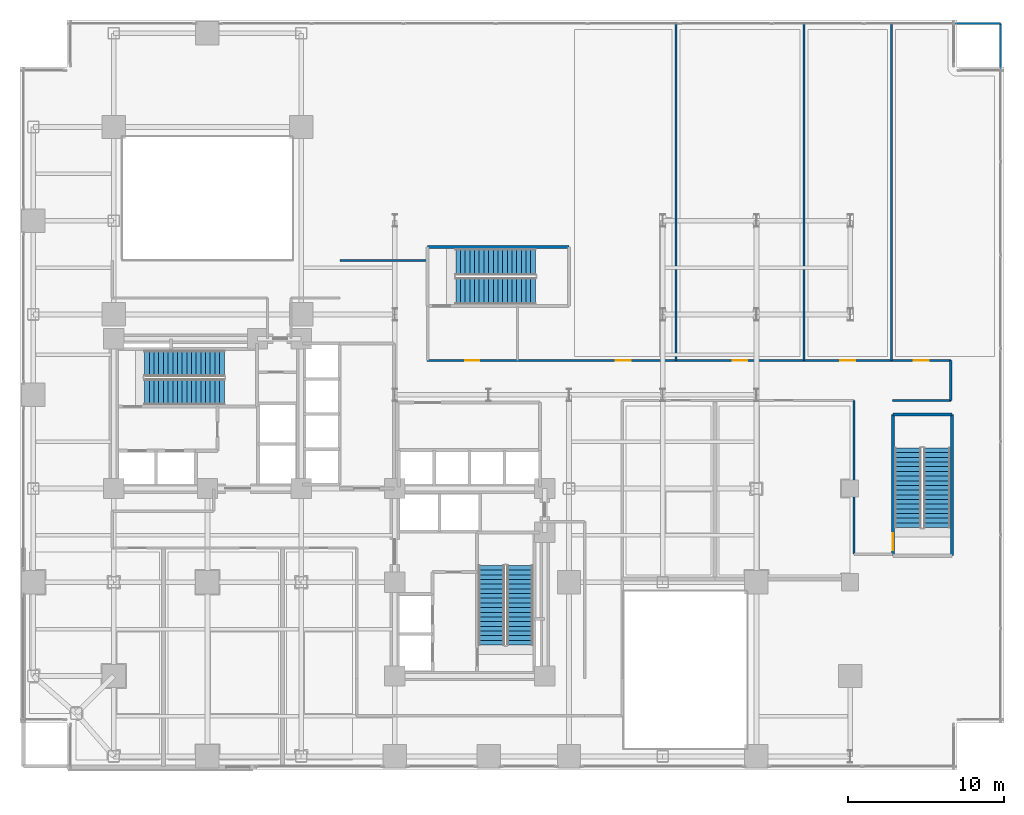
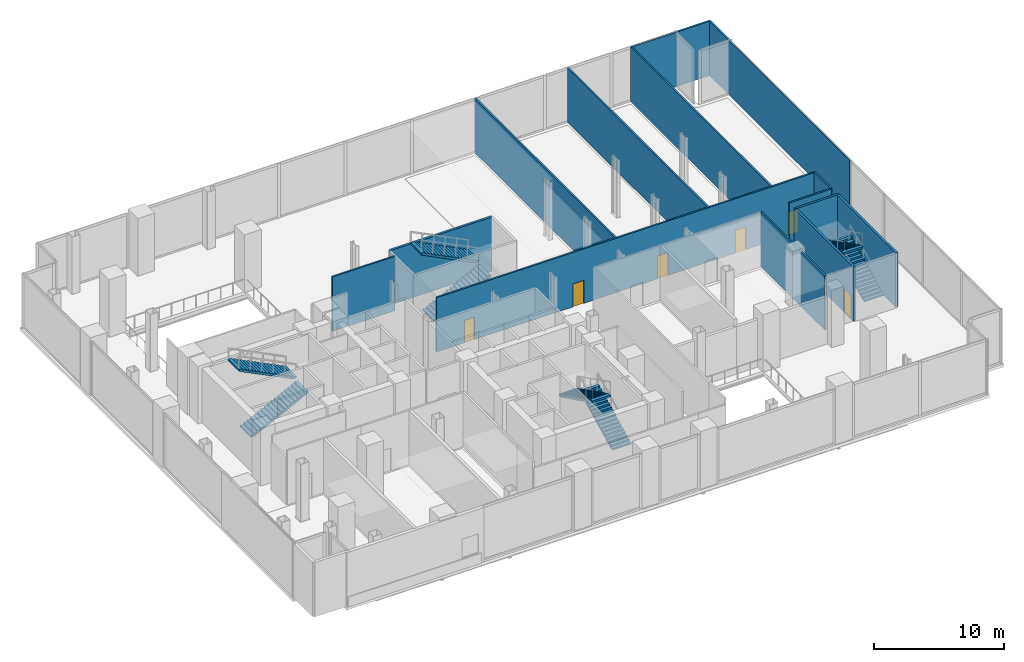
# One storey, part 23 of 28: 14 walls, 8 stair flights, 6 doors, 6 openings, 4 elements without a shape of their own.
"""IFC4 building model written with IfcOpenShell, lengths in metres."""

from ifc_helpers import new_model, si_unit, direction, frame, frame_2d, origin, place, context, subcontext, project, spatial, polyline, rectangle, outline, extrude, material, layer, layer_set, type_object, element, fill, aggregate, save


model = new_model("IFC4")

# Units and contexts
model_context = context("Model", 3, precision=1e-05, world=origin(), true_north=direction((0.0, 1.0)))
body_context = subcontext(model_context, "Body", "Model", "MODEL_VIEW")
ifc_project = project(units=[si_unit("LENGTHUNIT", "METRE"), si_unit("AREAUNIT", "SQUARE_METRE"), si_unit("VOLUMEUNIT", "CUBIC_METRE"), si_unit("PLANEANGLEUNIT", "RADIAN"), si_unit("MASSUNIT", "GRAM", prefix="KILO"), si_unit("THERMODYNAMICTEMPERATUREUNIT", "KELVIN"), si_unit("POWERUNIT", "WATT")], contexts=[model_context])

# Site, building, storey
site_placement = place(None, origin())
site = spatial("IfcSite", under=ifc_project, at=site_placement, CompositionType="ELEMENT")
building_placement = place(site_placement, origin())
building = spatial("IfcBuilding", under=site, at=building_placement, Name="Svarakhadi Broadcast Tower", CompositionType="ELEMENT")
storey_placement = place(building_placement, frame((0.0, 0.0, 11.10009765625)))
storey = spatial("IfcBuildingStorey", under=building, at=storey_placement, Name="L02", CompositionType="ELEMENT", Elevation=11.10009765625)

# Wall
ifc_material_1 = material(Name="Autoclaved Aerated Concrete Blockwork 150 mm", Category="masonry")
ifc_layer_1 = layer(ifc_material_1, 0.14990234375)
ifc_layer_set_1 = layer_set([ifc_layer_1], Name="Autoclaved Aerated Concrete Blockwork 150 mm")
wall_type_1 = type_object("IfcWallType", Name="Wall_Part_150", PredefinedType="PARTITIONING", material=ifc_layer_set_1)
wall_1_placement = place(storey_placement, frame((20.5, 32.60009765625, 0.0), z_axis=(0.0, 0.0, 1.0), x_axis=(1.0, 0.0, 0.0)))
element("IfcWall", 1, at=wall_1_placement, inside=storey, type_object=wall_type_1, Name="L02 Podium Gallery Wall", PredefinedType="PARTITIONING", context=body_context, shape_type="SweptSolid", body=[
    extrude(rectangle(XDim=5.550048828125, YDim=0.14990234375, at=frame_2d((2.77490234375, 0.0))), origin(), (0.0, 0.0, 1.0), 5.099853515625),
])

# Wall, openings, doors
wall_2_placement = place(storey_placement, frame((26.050048828125, 26.199951171875, 0.0), z_axis=(0.0, 0.0, 1.0), x_axis=(1.0, 0.0, 0.0)))
wall_2 = element("IfcWall", 2, at=wall_2_placement, inside=storey, type_object=wall_type_1, Name="L02 Podium Gallery Wall", PredefinedType="PARTITIONING", context=body_context, shape_type="SweptSolid", body=[
    extrude(rectangle(XDim=33.550048828125, YDim=0.14990234375, at=frame_2d((16.77490234375, 0.0))), origin(), (0.0, 0.0, 1.0), 5.099853515625),
])
opening_1_placement = place(wall_2_placement, frame((2.449951171875, 0.0, 0.0)))
opening_1 = element("IfcOpeningElement", 3, at=opening_1_placement, cuts=wall_2, Name="Opening D-13", PredefinedType="OPENING", context=body_context, shape_type="SweptSolid", body=[
    extrude(rectangle(XDim=0.89990234375, YDim=2.10009765625, at=frame_2d((0.449951171875, 1.050048828125))), frame((0.0, 0.0849609375, 0.0), z_axis=(0.0, -1.0, 0.0), x_axis=(1.0, 0.0, 0.0)), (0.0, 0.0, 1.0), 0.169921875),
])
opening_2_placement = place(wall_2_placement, frame((12.10009765625, 0.0, 0.0)))
opening_2 = element("IfcOpeningElement", 4, at=opening_2_placement, cuts=wall_2, Name="Opening D-06", PredefinedType="OPENING", context=body_context, shape_type="SweptSolid", body=[
    extrude(rectangle(XDim=0.949951171875, YDim=2.14990234375, at=frame_2d((0.47509765625, 1.074951171875))), frame((0.0, 0.0849609375, 0.0), z_axis=(0.0, -1.0, 0.0), x_axis=(1.0, 0.0, 0.0)), (0.0, 0.0, 1.0), 0.169921875),
])
opening_3_placement = place(wall_2_placement, frame((19.574951171875, 0.0, 0.0)))
opening_3 = element("IfcOpeningElement", 5, at=opening_3_placement, cuts=wall_2, Name="Opening D-07", PredefinedType="OPENING", context=body_context, shape_type="SweptSolid", body=[
    extrude(rectangle(XDim=0.949951171875, YDim=2.14990234375, at=frame_2d((0.47509765625, 1.074951171875))), frame((0.0, 0.0849609375, 0.0), z_axis=(0.0, -1.0, 0.0), x_axis=(1.0, 0.0, 0.0)), (0.0, 0.0, 1.0), 0.169921875),
])
opening_4_placement = place(wall_2_placement, frame((26.47509765625, 0.0, 0.0)))
opening_4 = element("IfcOpeningElement", 6, at=opening_4_placement, cuts=wall_2, Name="Opening D-06", PredefinedType="OPENING", context=body_context, shape_type="SweptSolid", body=[
    extrude(rectangle(XDim=0.949951171875, YDim=2.14990234375, at=frame_2d((0.47509765625, 1.074951171875))), frame((0.0, 0.0849609375, 0.0), z_axis=(0.0, -1.0, 0.0), x_axis=(1.0, 0.0, 0.0)), (0.0, 0.0, 1.0), 0.169921875),
])
opening_5_placement = place(wall_2_placement, frame((31.175048828125, 0.0, 0.0)))
opening_5 = element("IfcOpeningElement", 7, at=opening_5_placement, cuts=wall_2, Name="Opening D-07", PredefinedType="OPENING", context=body_context, shape_type="SweptSolid", body=[
    extrude(rectangle(XDim=0.949951171875, YDim=2.14990234375, at=frame_2d((0.47509765625, 1.074951171875))), frame((0.0, 0.0849609375, 0.0), z_axis=(0.0, -1.0, 0.0), x_axis=(1.0, 0.0, 0.0)), (0.0, 0.0, 1.0), 0.169921875),
])
ifc_material_2 = material(Name="Solid-Core Teak Veneer Acoustic Timber Leaf", Category="wood")
door_type_1 = type_object("IfcDoorType", Name="Door_Closet_D13", OperationType="SINGLE_SWING_RIGHT", PredefinedType="DOOR", material=ifc_material_2)
door_1_placement = place(opening_1_placement, origin())
door_1 = element("IfcDoor", 8, at=door_1_placement, inside=storey, type_object=door_type_1, Name="L02 Staff Toilet WC Door", OperationType="SINGLE_SWING_RIGHT", OverallHeight=2.10009765625, OverallWidth=0.89990234375, PredefinedType="DOOR", context=body_context, shape_type="SweptSolid", body=[
    extrude(rectangle(XDim=0.89990234375, YDim=2.10009765625, at=frame_2d((0.449951171875, 1.050048828125))), frame((0.0, 0.02490234375, 0.0), z_axis=(0.0, -1.0, 0.0), x_axis=(1.0, 0.0, 0.0)), (0.0, 0.0, 1.0), 0.050048828125),
])
fill(opening_1, door_1)
door_type_2 = type_object("IfcDoorType", Name="Door_Office_D06", OperationType="SINGLE_SWING_LEFT", PredefinedType="DOOR", material=ifc_material_2)
door_2_placement = place(opening_2_placement, origin())
door_2 = element("IfcDoor", 9, at=door_2_placement, inside=storey, type_object=door_type_2, Name="L02 L02 Satellite Ingest and Playout Office Door", OperationType="SINGLE_SWING_LEFT", OverallHeight=2.14990234375, OverallWidth=0.949951171875, PredefinedType="DOOR", context=body_context, shape_type="SweptSolid", body=[
    extrude(rectangle(XDim=0.949951171875, YDim=2.14990234375, at=frame_2d((0.47509765625, 1.074951171875))), frame((0.0, 0.02490234375, 0.0), z_axis=(0.0, -1.0, 0.0), x_axis=(1.0, 0.0, 0.0)), (0.0, 0.0, 1.0), 0.050048828125),
])
fill(opening_2, door_2)
door_3_placement = place(opening_4_placement, origin())
door_3 = element("IfcDoor", 10, at=door_3_placement, inside=storey, type_object=door_type_2, Name="L02 L02 Staff Dining Canteen Door", OperationType="SINGLE_SWING_LEFT", OverallHeight=2.14990234375, OverallWidth=0.949951171875, PredefinedType="DOOR", context=body_context, shape_type="SweptSolid", body=[
    extrude(rectangle(XDim=0.949951171875, YDim=2.14990234375, at=frame_2d((0.47509765625, 1.074951171875))), frame((0.0, 0.02490234375, 0.0), z_axis=(0.0, -1.0, 0.0), x_axis=(1.0, 0.0, 0.0)), (0.0, 0.0, 1.0), 0.050048828125),
])
fill(opening_4, door_3)
door_type_3 = type_object("IfcDoorType", Name="Door_Office_D07", OperationType="SINGLE_SWING_RIGHT", PredefinedType="DOOR", material=ifc_material_2)
door_4_placement = place(opening_3_placement, origin())
door_4 = element("IfcDoor", 11, at=door_4_placement, inside=storey, type_object=door_type_3, Name="L02 L02 Editorial Conference Room Door", OperationType="SINGLE_SWING_RIGHT", OverallHeight=2.14990234375, OverallWidth=0.949951171875, PredefinedType="DOOR", context=body_context, shape_type="SweptSolid", body=[
    extrude(rectangle(XDim=0.949951171875, YDim=2.14990234375, at=frame_2d((0.47509765625, 1.074951171875))), frame((0.0, 0.02490234375, 0.0), z_axis=(0.0, -1.0, 0.0), x_axis=(1.0, 0.0, 0.0)), (0.0, 0.0, 1.0), 0.050048828125),
])
fill(opening_3, door_4)
door_5_placement = place(opening_5_placement, origin())
door_5 = element("IfcDoor", 12, at=door_5_placement, inside=storey, type_object=door_type_3, Name="L02 L02 Broadcast Copy and Archive Store Door", OperationType="SINGLE_SWING_RIGHT", OverallHeight=2.14990234375, OverallWidth=0.949951171875, PredefinedType="DOOR", context=body_context, shape_type="SweptSolid", body=[
    extrude(rectangle(XDim=0.949951171875, YDim=2.14990234375, at=frame_2d((0.47509765625, 1.074951171875))), frame((0.0, 0.02490234375, 0.0), z_axis=(0.0, -1.0, 0.0), x_axis=(1.0, 0.0, 0.0)), (0.0, 0.0, 1.0), 0.050048828125),
])
fill(opening_5, door_5)

# Walls
wall_3_placement = place(storey_placement, frame((59.60009765625, 26.199951171875, 0.0), z_axis=(0.0, 0.0, 1.0), x_axis=(0.0, -1.0, 0.0)))
element("IfcWall", 13, at=wall_3_placement, inside=storey, type_object=wall_type_1, Name="L02 Podium Gallery Wall", PredefinedType="PARTITIONING", context=body_context, shape_type="SweptSolid", body=[
    extrude(rectangle(XDim=2.56005859375, YDim=0.14990234375, at=frame_2d((1.280029296875, 0.0))), origin(), (0.0, 0.0, 1.0), 5.099853515625),
])
wall_4_placement = place(storey_placement, frame((59.60009765625, 23.639892578125, 0.0), z_axis=(0.0, 0.0, 1.0), x_axis=(-1.0, 0.0, 0.0)))
element("IfcWall", 14, at=wall_4_placement, inside=storey, type_object=wall_type_1, Name="L02 Podium Gallery Wall", PredefinedType="PARTITIONING", context=body_context, shape_type="SweptSolid", body=[
    extrude(rectangle(XDim=3.75, YDim=0.14990234375, at=frame_2d((1.875, 0.0))), origin(), (0.0, 0.0, 1.0), 5.099853515625),
])
wall_5_placement = place(storey_placement, frame((53.39990234375, 13.800048828125, 0.0), z_axis=(0.0, 0.0, 1.0), x_axis=(0.0, 1.0, 0.0)))
element("IfcWall", 15, at=wall_5_placement, inside=storey, type_object=wall_type_1, Name="L02 Podium Gallery Wall", PredefinedType="PARTITIONING", context=body_context, shape_type="SweptSolid", body=[
    extrude(rectangle(XDim=9.83984375, YDim=0.14990234375, at=frame_2d((4.919921875, 0.0))), origin(), (0.0, 0.0, 1.0), 5.099853515625),
])
for number, where, z_axis, x_axis, name in (
    (16, (42.0, 26.199951171875, 0.0), (0.0, 0.0, 1.0), (0.0, 1.0, 0.0), "L02 L02 Satellite Ingest and Playout Office Wall"),
    (17, (50.199951171875, 26.199951171875, 0.0), (0.0, 0.0, 1.0), (0.0, 1.0, 0.0), "L02 L02 Editorial Conference Room Wall"),
    (18, (55.800048828125, 26.199951171875, 0.0), (0.0, 0.0, 1.0), (0.0, 1.0, 0.0), "L02 L02 Staff Dining Canteen Wall"),
):
    element("IfcWall", number, at=place(storey_placement, frame(where, z_axis=z_axis, x_axis=x_axis)), inside=storey, type_object=wall_type_1, Name=name, PredefinedType="PARTITIONING", context=body_context, shape_type="SweptSolid", body=[
        extrude(rectangle(XDim=21.580078125, YDim=0.14990234375, at=frame_2d((10.7900390625, 0.0))), origin(), (0.0, 0.0, 1.0), 5.099853515625),
    ])
wall_6_placement = place(storey_placement, frame((55.800048828125, 47.780029296875, 0.0), z_axis=(0.0, 0.0, 1.0), x_axis=(1.0, 0.0, 0.0)))
element("IfcWall", 19, at=wall_6_placement, inside=storey, type_object=wall_type_1, Name="L02 L02 Broadcast Copy and Archive Store Wall", PredefinedType="PARTITIONING", context=body_context, shape_type="SweptSolid", body=[
    extrude(rectangle(XDim=6.97998046875, YDim=0.14990234375, at=frame_2d((3.489990234375, 0.0))), origin(), (0.0, 0.0, 1.0), 5.099853515625),
])
wall_7_placement = place(storey_placement, frame((62.780029296875, 26.199951171875, 0.0), z_axis=(0.0, 0.0, 1.0), x_axis=(0.0, 1.0, 0.0)))
element("IfcWall", 20, at=wall_7_placement, inside=storey, type_object=wall_type_1, Name="L02 L02 Broadcast Copy and Archive Store Wall", PredefinedType="PARTITIONING", context=body_context, shape_type="SweptSolid", body=[
    extrude(rectangle(XDim=21.580078125, YDim=0.14990234375, at=frame_2d((10.7900390625, 0.0))), origin(), (0.0, 0.0, 1.0), 5.099853515625),
])
ifc_material_3 = material(Name="Concrete C50/60 (IS 456 M60)", Category="concrete")
ifc_layer_2 = layer(ifc_material_3, 0.199951171875)
ifc_layer_set_2 = layer_set([ifc_layer_2], Name="Concrete C50/60 (IS 456 M60)")
wall_type_2 = type_object("IfcWallType", Name="Wall_Shear_200", PredefinedType="SHEAR", material=ifc_layer_set_2)
wall_8_placement = place(storey_placement, frame((26.10009765625, 33.4599609375, 0.0), z_axis=(0.0, 0.0, 1.0), x_axis=(1.0, 0.0, 0.0)))
element("IfcWall", 21, at=wall_8_placement, inside=storey, type_object=wall_type_2, Name="L02 Stair ST-03 North RC Shaft Wall", PredefinedType="SHEAR", context=body_context, shape_type="SweptSolid", body=[
    extrude(rectangle(XDim=9.0498046875, YDim=0.199951171875, at=frame_2d((4.52490234375, 0.0))), origin(), (0.0, 0.0, 1.0), 5.099853515625),
])

# Wall, opening, door
wall_9_placement = place(storey_placement, frame((55.89990234375, 13.699951171875, 0.0), z_axis=(0.0, 0.0, 1.0), x_axis=(0.0, 1.0, 0.0)))
wall_9 = element("IfcWall", 22, at=wall_9_placement, inside=storey, type_object=wall_type_2, Name="L02 Stair ST-04 West RC Shaft Wall", PredefinedType="SHEAR", context=body_context, shape_type="SweptSolid", body=[
    extrude(rectangle(XDim=9.050048828125, YDim=0.199951171875, at=frame_2d((4.52490234375, 0.0))), origin(), (0.0, 0.0, 1.0), 5.099853515625),
])
opening_6_placement = place(wall_9_placement, frame((0.35009765625, 0.0, 0.0)))
opening_6 = element("IfcOpeningElement", 23, at=opening_6_placement, cuts=wall_9, Name="Opening D-02", PredefinedType="OPENING", context=body_context, shape_type="SweptSolid", body=[
    extrude(rectangle(XDim=1.10009765625, YDim=2.199951171875, at=frame_2d((0.550048828125, 1.10009765625))), frame((0.0, 0.10986328125, 0.0), z_axis=(0.0, -1.0, 0.0), x_axis=(1.0, 0.0, 0.0)), (0.0, 0.0, 1.0), 0.219970703125),
])
ifc_material_4 = material(Name="Galvanised Powder-Coated Fire-Rated Steel Leaf", Category="steel")
door_type_4 = type_object("IfcDoorType", Name="Door_Stair_D02", OperationType="SINGLE_SWING_RIGHT", PredefinedType="DOOR", material=ifc_material_4)
door_6_placement = place(opening_6_placement, origin())
door_6 = element("IfcDoor", 24, at=door_6_placement, inside=storey, type_object=door_type_4, Name="L02 Podium East Stair ST-04 Fire Door", OperationType="SINGLE_SWING_RIGHT", OverallHeight=2.199951171875, OverallWidth=1.10009765625, PredefinedType="DOOR", context=body_context, shape_type="SweptSolid", body=[
    extrude(rectangle(XDim=1.10009765625, YDim=2.199951171875, at=frame_2d((0.550048828125, 1.10009765625))), frame((0.0, 0.02490234375, 0.0), z_axis=(0.0, -1.0, 0.0), x_axis=(1.0, 0.0, 0.0)), (0.0, 0.0, 1.0), 0.050048828125),
])
fill(opening_6, door_6)

# Walls
wall_10_placement = place(storey_placement, frame((59.659912109375, 13.699951171875, 0.0), z_axis=(0.0, 0.0, 1.0), x_axis=(0.0, 1.0, 0.0)))
element("IfcWall", 25, at=wall_10_placement, inside=storey, type_object=wall_type_2, Name="L02 Stair ST-04 East RC Shaft Wall", PredefinedType="SHEAR", context=body_context, shape_type="SweptSolid", body=[
    extrude(rectangle(XDim=9.050048828125, YDim=0.199951171875, at=frame_2d((4.52490234375, 0.0))), origin(), (0.0, 0.0, 1.0), 5.099853515625),
])
wall_11_placement = place(storey_placement, frame((55.89990234375, 22.75, 0.0), z_axis=(0.0, 0.0, 1.0), x_axis=(1.0, 0.0, 0.0)))
element("IfcWall", 26, at=wall_11_placement, inside=storey, type_object=wall_type_2, Name="L02 Stair ST-04 North RC Shaft Wall", PredefinedType="SHEAR", context=body_context, shape_type="SweptSolid", body=[
    extrude(rectangle(XDim=3.760009765625, YDim=0.199951171875, at=frame_2d((1.8798828125, 0.0))), origin(), (0.0, 0.0, 1.0), 5.099853515625),
])

# Stair, stair flights
ifc_material_5 = material(Name="Concrete C40/50 (IS 456 M50)", Category="concrete")
stair_type_1 = type_object("IfcStairType", Name="Stair_Exit_Core", PredefinedType="HALF_TURN_STAIR", material=ifc_material_5)
stair_1_placement = place(storey_placement, origin())
stair_1 = element("IfcStair", 27, at=stair_1_placement, inside=storey, type_object=stair_type_1, Name="L02 West Core Protected Exit Stair ST-01", PredefinedType="HALF_TURN_STAIR")
stair_flight_type_1 = type_object("IfcStairFlightType", Name="Flight_RC_1680", PredefinedType="STRAIGHT", material=ifc_material_5)
stair_flight_1_placement = place(storey_placement, frame((7.97998046875, 24.18994140625, 0.0), z_axis=(0.0, 0.0, 1.0), x_axis=(1.0, 0.0, 0.0)))
stair_flight_1 = element("IfcStairFlight", 28, at=stair_flight_1_placement, type_object=stair_flight_type_1, Name="ST-01 flight 1", NumberOfRisers=18, NumberOfTreads=17, PredefinedType="STRAIGHT", RiserHeight=0.15, TreadLength=0.3, context=body_context, shape_type="SweptSolid", body=[
    extrude(outline(polyline([(0.0, 0.0), (0.0, 0.14990234375), (0.300048828125, 0.14990234375), (0.300048828125, 0.300048828125), (0.60009765625, 0.300048828125), (0.60009765625, 0.449951171875), (0.89990234375, 0.449951171875), (0.89990234375, 0.60009765625), (1.199951171875, 0.60009765625), (1.199951171875, 0.75), (1.5, 0.75), (1.5, 0.89990234375), (1.800048828125, 0.89990234375), (1.800048828125, 1.050048828125), (2.10009765625, 1.050048828125), (2.10009765625, 1.199951171875), (2.39990234375, 1.199951171875), (2.39990234375, 1.35009765625), (2.699951171875, 1.35009765625), (2.699951171875, 1.5), (3.0, 1.5), (3.0, 1.64990234375), (3.300048828125, 1.64990234375), (3.300048828125, 1.800048828125), (3.60009765625, 1.800048828125), (3.60009765625, 1.949951171875), (3.89990234375, 1.949951171875), (3.89990234375, 2.10009765625), (4.199951171875, 2.10009765625), (4.199951171875, 2.25), (4.5, 2.25), (4.5, 2.39990234375), (4.800048828125, 2.39990234375), (4.800048828125, 2.550048828125), (5.10009765625, 2.550048828125), (5.10009765625, 2.699951171875), (5.10009765625, 2.38232421875), (0.335205078125, 0.0), (0.0, 0.0)])), frame((0.0, 0.830078125, 0.0), z_axis=(0.0, -1.0, 0.0), x_axis=(1.0, 0.0, 0.0)), (0.0, 0.0, 1.0), 1.659912109375),
])
stair_flight_2_placement = place(storey_placement, frame((13.080078125, 26.010009765625, 2.699951171875), z_axis=(0.0, 0.0, 1.0), x_axis=(-1.0, 0.0, 0.0)))
stair_flight_2 = element("IfcStairFlight", 29, at=stair_flight_2_placement, type_object=stair_flight_type_1, Name="ST-01 flight 2", NumberOfRisers=18, NumberOfTreads=17, PredefinedType="STRAIGHT", RiserHeight=0.15, TreadLength=0.3, context=body_context, shape_type="SweptSolid", body=[
    extrude(outline(polyline([(0.0, 0.0), (0.0, 0.14990234375), (0.300048828125, 0.14990234375), (0.300048828125, 0.300048828125), (0.60009765625, 0.300048828125), (0.60009765625, 0.449951171875), (0.89990234375, 0.449951171875), (0.89990234375, 0.60009765625), (1.199951171875, 0.60009765625), (1.199951171875, 0.75), (1.5, 0.75), (1.5, 0.89990234375), (1.800048828125, 0.89990234375), (1.800048828125, 1.050048828125), (2.10009765625, 1.050048828125), (2.10009765625, 1.199951171875), (2.39990234375, 1.199951171875), (2.39990234375, 1.35009765625), (2.699951171875, 1.35009765625), (2.699951171875, 1.5), (3.0, 1.5), (3.0, 1.64990234375), (3.300048828125, 1.64990234375), (3.300048828125, 1.800048828125), (3.60009765625, 1.800048828125), (3.60009765625, 1.949951171875), (3.89990234375, 1.949951171875), (3.89990234375, 2.10009765625), (4.199951171875, 2.10009765625), (4.199951171875, 2.25), (4.5, 2.25), (4.5, 2.39990234375), (4.800048828125, 2.39990234375), (4.800048828125, 2.550048828125), (5.10009765625, 2.550048828125), (5.10009765625, 2.699951171875), (5.10009765625, 2.38232421875), (0.335205078125, 0.0), (0.0, 0.0)])), frame((0.0, 0.830078125, 0.0), z_axis=(0.0, -1.0, 0.0), x_axis=(1.0, 0.0, 0.0)), (0.0, 0.0, 1.0), 1.659912109375),
])
aggregate(stair_1, [stair_flight_1, stair_flight_2])

stair_2_placement = place(storey_placement, origin())
stair_2 = element("IfcStair", 30, at=stair_2_placement, inside=storey, type_object=stair_type_1, Name="L02 East Core Protected Exit Stair ST-02", PredefinedType="HALF_TURN_STAIR")
stair_flight_3_placement = place(storey_placement, frame((32.010009765625, 7.97998046875, 0.0), z_axis=(0.0, 0.0, 1.0), x_axis=(0.0, 1.0, 0.0)))
stair_flight_3 = element("IfcStairFlight", 31, at=stair_flight_3_placement, type_object=stair_flight_type_1, Name="ST-02 flight 1", NumberOfRisers=18, NumberOfTreads=17, PredefinedType="STRAIGHT", RiserHeight=0.15, TreadLength=0.3, context=body_context, shape_type="SweptSolid", body=[
    extrude(outline(polyline([(0.0, 0.0), (0.0, 0.14990234375), (0.300048828125, 0.14990234375), (0.300048828125, 0.300048828125), (0.60009765625, 0.300048828125), (0.60009765625, 0.449951171875), (0.89990234375, 0.449951171875), (0.89990234375, 0.60009765625), (1.199951171875, 0.60009765625), (1.199951171875, 0.75), (1.5, 0.75), (1.5, 0.89990234375), (1.800048828125, 0.89990234375), (1.800048828125, 1.050048828125), (2.10009765625, 1.050048828125), (2.10009765625, 1.199951171875), (2.39990234375, 1.199951171875), (2.39990234375, 1.35009765625), (2.699951171875, 1.35009765625), (2.699951171875, 1.5), (3.0, 1.5), (3.0, 1.64990234375), (3.300048828125, 1.64990234375), (3.300048828125, 1.800048828125), (3.60009765625, 1.800048828125), (3.60009765625, 1.949951171875), (3.89990234375, 1.949951171875), (3.89990234375, 2.10009765625), (4.199951171875, 2.10009765625), (4.199951171875, 2.25), (4.5, 2.25), (4.5, 2.39990234375), (4.800048828125, 2.39990234375), (4.800048828125, 2.550048828125), (5.10009765625, 2.550048828125), (5.10009765625, 2.699951171875), (5.10009765625, 2.38232421875), (0.335205078125, 0.0), (0.0, 0.0)])), frame((0.0, 0.830078125, 0.0), z_axis=(0.0, -1.0, 0.0), x_axis=(1.0, 0.0, 0.0)), (0.0, 0.0, 1.0), 1.659912109375),
])
stair_flight_4_placement = place(storey_placement, frame((30.18994140625, 13.080078125, 2.699951171875), z_axis=(0.0, 0.0, 1.0), x_axis=(0.0, -1.0, 0.0)))
stair_flight_4 = element("IfcStairFlight", 32, at=stair_flight_4_placement, type_object=stair_flight_type_1, Name="ST-02 flight 2", NumberOfRisers=18, NumberOfTreads=17, PredefinedType="STRAIGHT", RiserHeight=0.15, TreadLength=0.3, context=body_context, shape_type="SweptSolid", body=[
    extrude(outline(polyline([(0.0, 0.0), (0.0, 0.14990234375), (0.300048828125, 0.14990234375), (0.300048828125, 0.300048828125), (0.60009765625, 0.300048828125), (0.60009765625, 0.449951171875), (0.89990234375, 0.449951171875), (0.89990234375, 0.60009765625), (1.199951171875, 0.60009765625), (1.199951171875, 0.75), (1.5, 0.75), (1.5, 0.89990234375), (1.800048828125, 0.89990234375), (1.800048828125, 1.050048828125), (2.10009765625, 1.050048828125), (2.10009765625, 1.199951171875), (2.39990234375, 1.199951171875), (2.39990234375, 1.35009765625), (2.699951171875, 1.35009765625), (2.699951171875, 1.5), (3.0, 1.5), (3.0, 1.64990234375), (3.300048828125, 1.64990234375), (3.300048828125, 1.800048828125), (3.60009765625, 1.800048828125), (3.60009765625, 1.949951171875), (3.89990234375, 1.949951171875), (3.89990234375, 2.10009765625), (4.199951171875, 2.10009765625), (4.199951171875, 2.25), (4.5, 2.25), (4.5, 2.39990234375), (4.800048828125, 2.39990234375), (4.800048828125, 2.550048828125), (5.10009765625, 2.550048828125), (5.10009765625, 2.699951171875), (5.10009765625, 2.38232421875), (0.335205078125, 0.0), (0.0, 0.0)])), frame((0.0, 0.830078125, 0.0), z_axis=(0.0, -1.0, 0.0), x_axis=(1.0, 0.0, 0.0)), (0.0, 0.0, 1.0), 1.659912109375),
])
aggregate(stair_2, [stair_flight_3, stair_flight_4])

stair_type_2 = type_object("IfcStairType", Name="Stair_Exit_Pod", PredefinedType="HALF_TURN_STAIR", material=ifc_material_5)
stair_3_placement = place(storey_placement, origin())
stair_3 = element("IfcStair", 33, at=stair_3_placement, inside=storey, type_object=stair_type_2, Name="L02 Podium Concourse Broadcast Exit Stair ST-03", PredefinedType="HALF_TURN_STAIR")
stair_flight_type_2 = type_object("IfcStairFlightType", Name="Flight_RC_1800", PredefinedType="STRAIGHT", material=ifc_material_5)
stair_flight_5_placement = place(storey_placement, frame((27.89990234375, 30.64990234375, 0.0), z_axis=(0.0, 0.0, 1.0), x_axis=(1.0, 0.0, 0.0)))
stair_flight_5 = element("IfcStairFlight", 34, at=stair_flight_5_placement, type_object=stair_flight_type_2, Name="ST-03 flight 1", NumberOfRisers=18, NumberOfTreads=17, PredefinedType="STRAIGHT", RiserHeight=0.15, TreadLength=0.3, context=body_context, shape_type="SweptSolid", body=[
    extrude(outline(polyline([(0.0, 0.0), (0.0, 0.14990234375), (0.300048828125, 0.14990234375), (0.300048828125, 0.300048828125), (0.60009765625, 0.300048828125), (0.60009765625, 0.449951171875), (0.89990234375, 0.449951171875), (0.89990234375, 0.60009765625), (1.199951171875, 0.60009765625), (1.199951171875, 0.75), (1.5, 0.75), (1.5, 0.89990234375), (1.800048828125, 0.89990234375), (1.800048828125, 1.050048828125), (2.10009765625, 1.050048828125), (2.10009765625, 1.199951171875), (2.39990234375, 1.199951171875), (2.39990234375, 1.35009765625), (2.699951171875, 1.35009765625), (2.699951171875, 1.5), (3.0, 1.5), (3.0, 1.64990234375), (3.300048828125, 1.64990234375), (3.300048828125, 1.800048828125), (3.60009765625, 1.800048828125), (3.60009765625, 1.949951171875), (3.89990234375, 1.949951171875), (3.89990234375, 2.10009765625), (4.199951171875, 2.10009765625), (4.199951171875, 2.25), (4.5, 2.25), (4.5, 2.39990234375), (4.800048828125, 2.39990234375), (4.800048828125, 2.550048828125), (5.10009765625, 2.550048828125), (5.10009765625, 2.699951171875), (5.10009765625, 2.38232421875), (0.335205078125, 0.0), (0.0, 0.0)])), frame((0.0, 0.85009765625, 0.0), z_axis=(0.0, -1.0, 0.0), x_axis=(1.0, 0.0, 0.0)), (0.0, 0.0, 1.0), 1.699951171875),
])
stair_flight_6_placement = place(storey_placement, frame((33.0, 32.510009765625, 2.699951171875), z_axis=(0.0, 0.0, 1.0), x_axis=(-1.0, 0.0, 0.0)))
stair_flight_6 = element("IfcStairFlight", 35, at=stair_flight_6_placement, type_object=stair_flight_type_2, Name="ST-03 flight 2", NumberOfRisers=18, NumberOfTreads=17, PredefinedType="STRAIGHT", RiserHeight=0.15, TreadLength=0.3, context=body_context, shape_type="SweptSolid", body=[
    extrude(outline(polyline([(0.0, 0.0), (0.0, 0.14990234375), (0.300048828125, 0.14990234375), (0.300048828125, 0.300048828125), (0.60009765625, 0.300048828125), (0.60009765625, 0.449951171875), (0.89990234375, 0.449951171875), (0.89990234375, 0.60009765625), (1.199951171875, 0.60009765625), (1.199951171875, 0.75), (1.5, 0.75), (1.5, 0.89990234375), (1.800048828125, 0.89990234375), (1.800048828125, 1.050048828125), (2.10009765625, 1.050048828125), (2.10009765625, 1.199951171875), (2.39990234375, 1.199951171875), (2.39990234375, 1.35009765625), (2.699951171875, 1.35009765625), (2.699951171875, 1.5), (3.0, 1.5), (3.0, 1.64990234375), (3.300048828125, 1.64990234375), (3.300048828125, 1.800048828125), (3.60009765625, 1.800048828125), (3.60009765625, 1.949951171875), (3.89990234375, 1.949951171875), (3.89990234375, 2.10009765625), (4.199951171875, 2.10009765625), (4.199951171875, 2.25), (4.5, 2.25), (4.5, 2.39990234375), (4.800048828125, 2.39990234375), (4.800048828125, 2.550048828125), (5.10009765625, 2.550048828125), (5.10009765625, 2.699951171875), (5.10009765625, 2.38232421875), (0.335205078125, 0.0), (0.0, 0.0)])), frame((0.0, 0.85009765625, 0.0), z_axis=(0.0, -1.0, 0.0), x_axis=(1.0, 0.0, 0.0)), (0.0, 0.0, 1.0), 1.699951171875),
])
aggregate(stair_3, [stair_flight_5, stair_flight_6])

stair_4_placement = place(storey_placement, origin())
stair_4 = element("IfcStair", 36, at=stair_4_placement, inside=storey, type_object=stair_type_2, Name="L02 Podium East Broadcast Exit Stair ST-04", PredefinedType="HALF_TURN_STAIR")
stair_flight_7_placement = place(storey_placement, frame((58.7099609375, 15.5, 0.0), z_axis=(0.0, 0.0, 1.0), x_axis=(0.0, 1.0, 0.0)))
stair_flight_7 = element("IfcStairFlight", 37, at=stair_flight_7_placement, type_object=stair_flight_type_2, Name="ST-04 flight 1", NumberOfRisers=18, NumberOfTreads=17, PredefinedType="STRAIGHT", RiserHeight=0.15, TreadLength=0.3, context=body_context, shape_type="SweptSolid", body=[
    extrude(outline(polyline([(0.0, 0.0), (0.0, 0.14990234375), (0.300048828125, 0.14990234375), (0.300048828125, 0.300048828125), (0.60009765625, 0.300048828125), (0.60009765625, 0.449951171875), (0.89990234375, 0.449951171875), (0.89990234375, 0.60009765625), (1.199951171875, 0.60009765625), (1.199951171875, 0.75), (1.5, 0.75), (1.5, 0.89990234375), (1.800048828125, 0.89990234375), (1.800048828125, 1.050048828125), (2.10009765625, 1.050048828125), (2.10009765625, 1.199951171875), (2.39990234375, 1.199951171875), (2.39990234375, 1.35009765625), (2.699951171875, 1.35009765625), (2.699951171875, 1.5), (3.0, 1.5), (3.0, 1.64990234375), (3.300048828125, 1.64990234375), (3.300048828125, 1.800048828125), (3.60009765625, 1.800048828125), (3.60009765625, 1.949951171875), (3.89990234375, 1.949951171875), (3.89990234375, 2.10009765625), (4.199951171875, 2.10009765625), (4.199951171875, 2.25), (4.5, 2.25), (4.5, 2.39990234375), (4.800048828125, 2.39990234375), (4.800048828125, 2.550048828125), (5.10009765625, 2.550048828125), (5.10009765625, 2.699951171875), (5.10009765625, 2.38232421875), (0.335205078125, 0.0), (0.0, 0.0)])), frame((0.0, 0.85009765625, 0.0), z_axis=(0.0, -1.0, 0.0), x_axis=(1.0, 0.0, 0.0)), (0.0, 0.0, 1.0), 1.699951171875),
])
stair_flight_8_placement = place(storey_placement, frame((56.85009765625, 20.60009765625, 2.699951171875), z_axis=(0.0, 0.0, 1.0), x_axis=(0.0, -1.0, 0.0)))
stair_flight_8 = element("IfcStairFlight", 38, at=stair_flight_8_placement, type_object=stair_flight_type_2, Name="ST-04 flight 2", NumberOfRisers=18, NumberOfTreads=17, PredefinedType="STRAIGHT", RiserHeight=0.15, TreadLength=0.3, context=body_context, shape_type="SweptSolid", body=[
    extrude(outline(polyline([(0.0, 0.0), (0.0, 0.14990234375), (0.300048828125, 0.14990234375), (0.300048828125, 0.300048828125), (0.60009765625, 0.300048828125), (0.60009765625, 0.449951171875), (0.89990234375, 0.449951171875), (0.89990234375, 0.60009765625), (1.199951171875, 0.60009765625), (1.199951171875, 0.75), (1.5, 0.75), (1.5, 0.89990234375), (1.800048828125, 0.89990234375), (1.800048828125, 1.050048828125), (2.10009765625, 1.050048828125), (2.10009765625, 1.199951171875), (2.39990234375, 1.199951171875), (2.39990234375, 1.35009765625), (2.699951171875, 1.35009765625), (2.699951171875, 1.5), (3.0, 1.5), (3.0, 1.64990234375), (3.300048828125, 1.64990234375), (3.300048828125, 1.800048828125), (3.60009765625, 1.800048828125), (3.60009765625, 1.949951171875), (3.89990234375, 1.949951171875), (3.89990234375, 2.10009765625), (4.199951171875, 2.10009765625), (4.199951171875, 2.25), (4.5, 2.25), (4.5, 2.39990234375), (4.800048828125, 2.39990234375), (4.800048828125, 2.550048828125), (5.10009765625, 2.550048828125), (5.10009765625, 2.699951171875), (5.10009765625, 2.38232421875), (0.335205078125, 0.0), (0.0, 0.0)])), frame((0.0, 0.85009765625, 0.0), z_axis=(0.0, -1.0, 0.0), x_axis=(1.0, 0.0, 0.0)), (0.0, 0.0, 1.0), 1.699951171875),
])
aggregate(stair_4, [stair_flight_7, stair_flight_8])

save(model, "model.ifc")
